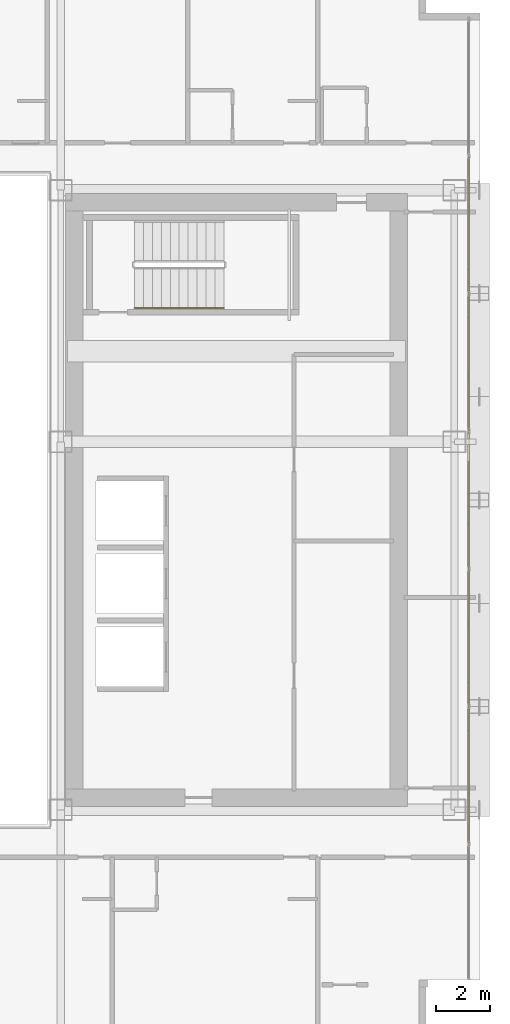
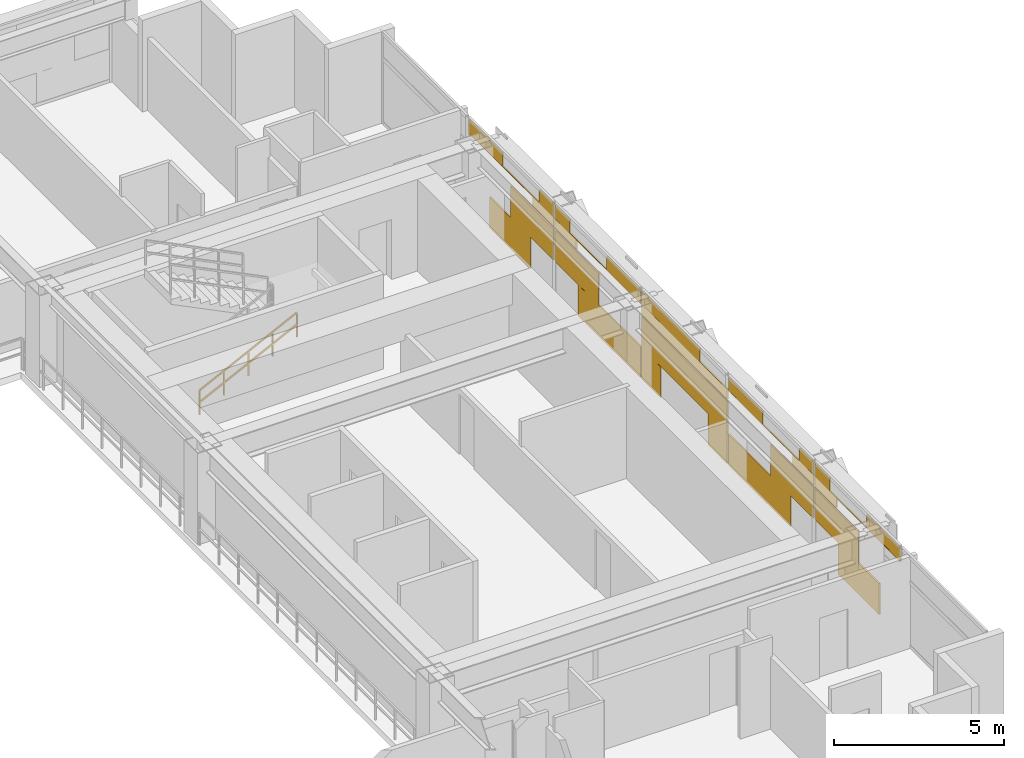
# One storey, part 35 of 36: 1 covering, 1 railing.
"""IFC4 building model written with IfcOpenShell, lengths in metres."""

from ifc_helpers import new_model, si_unit, direction, frame, origin, origin_2d, place, context, subcontext, project, spatial, rectangle, extrude, material, layer, layer_set, type_object, element, save


model = new_model("IFC4")

# Units and contexts
model_context = context("Model", 3, precision=1e-05, world=origin(), true_north=direction((0.0, 1.0)))
body_context = subcontext(model_context, "Body", "Model", "MODEL_VIEW")
ifc_project = project(units=[si_unit("LENGTHUNIT", "METRE"), si_unit("AREAUNIT", "SQUARE_METRE"), si_unit("VOLUMEUNIT", "CUBIC_METRE"), si_unit("PLANEANGLEUNIT", "RADIAN"), si_unit("MASSUNIT", "GRAM", prefix="KILO")], contexts=[model_context])

# Site, building, storey
site_placement = place(None, origin())
site = spatial("IfcSite", under=ifc_project, at=site_placement, CompositionType="ELEMENT")
building_placement = place(site_placement, origin())
building = spatial("IfcBuilding", under=site, at=building_placement, Name="Ocotamira Hotel", CompositionType="ELEMENT")
storey_placement = place(building_placement, frame((0.0, 0.0, 147.60009765625)))
storey = spatial("IfcBuildingStorey", under=building, at=storey_placement, Name="L37", CompositionType="ELEMENT", Elevation=147.60009765625)

# Covering
ifc_material_1 = material(Name="Insulated pale-metal aluminium spandrel panel", Category="aluminium")
ifc_layer = layer(ifc_material_1, 0.044921875)
ifc_layer_set = layer_set([ifc_layer], Name="Insulated pale-metal aluminium spandrel panel")
covering_type = type_object("IfcCoveringType", Name="COV-INFILL-45", PredefinedType="CLADDING", material=ifc_layer_set)
covering_placement = place(storey_placement, origin())
element("IfcCovering", 1, at=covering_placement, inside=storey, type_object=covering_type, Name="L37 Curtain Wall Infill CW-3 CW-L37-E", PredefinedType="CLADDING", context=body_context, shape_type="SweptSolid", body=[
    extrude(rectangle(XDim=2.39208984375, YDim=0.044921875, at=origin_2d()), frame((55.580078125, 15.76904296875, 0.075439453125), z_axis=(0.0, 0.0, 1.0), x_axis=(0.0, 1.0, 0.0)), (0.0, 0.0, 1.0), 1.11767578125),
    extrude(rectangle(XDim=2.544921875, YDim=0.044921875, at=origin_2d()), frame((55.580078125, 17.05859375, 1.19384765625), z_axis=(0.0, 0.0, 1.0), x_axis=(0.0, 1.0, 0.0)), (0.0, 0.0, 1.0), 1.117919921875),
    extrude(rectangle(XDim=5.004638671875, YDim=0.044921875, at=origin_2d()), frame((55.580078125, 15.82861328125, 2.722900390625), z_axis=(0.0, 0.0, 1.0), x_axis=(0.0, 1.0, 0.0)), (0.0, 0.0, 1.0), 0.029296875),
    extrude(rectangle(XDim=1.989013671875, YDim=0.044921875, at=origin_2d()), frame((55.580078125, 14.32080078125, 2.75341796875), z_axis=(0.0, 0.0, 1.0), x_axis=(0.0, 1.0, 0.0)), (0.0, 0.0, 1.0), 0.451171875),
    extrude(rectangle(XDim=1.25048828125, YDim=0.044921875, at=origin_2d()), frame((55.580078125, 17.705810546875, 2.387939453125), z_axis=(0.0, 0.0, 1.0), x_axis=(0.0, 1.0, 0.0)), (0.0, 0.0, 1.0), 0.333984375),
    extrude(rectangle(XDim=0.854248046875, YDim=0.044921875, at=origin_2d()), frame((55.580078125, 17.90380859375, 2.75341796875), z_axis=(0.0, 0.0, 1.0), x_axis=(0.0, 1.0, 0.0)), (0.0, 0.0, 1.0), 0.451171875),
    extrude(rectangle(XDim=2.53515625, YDim=0.044921875, at=origin_2d()), frame((55.580078125, 19.679443359375, 1.19384765625), z_axis=(0.0, 0.0, 1.0), x_axis=(0.0, 1.0, 0.0)), (0.0, 0.0, 1.0), 1.117919921875),
    extrude(rectangle(XDim=3.6484375, YDim=0.044921875, at=origin_2d()), frame((55.580078125, 21.59228515625, 0.075439453125), z_axis=(0.0, 0.0, 1.0), x_axis=(0.0, 1.0, 0.0)), (0.0, 0.0, 1.0), 1.11767578125),
    extrude(rectangle(XDim=1.24072265625, YDim=0.044921875, at=origin_2d()), frame((55.580078125, 19.0322265625, 2.387939453125), z_axis=(0.0, 0.0, 1.0), x_axis=(0.0, 1.0, 0.0)), (0.0, 0.0, 1.0), 0.333984375),
    extrude(rectangle(XDim=5.004638671875, YDim=0.044921875, at=origin_2d()), frame((55.580078125, 20.914306640625, 2.722900390625), z_axis=(0.0, 0.0, 1.0), x_axis=(0.0, 1.0, 0.0)), (0.0, 0.0, 1.0), 0.029296875),
    extrude(rectangle(XDim=0.844482421875, YDim=0.044921875, at=origin_2d()), frame((55.580078125, 18.834228515625, 2.75341796875), z_axis=(0.0, 0.0, 1.0), x_axis=(0.0, 1.0, 0.0)), (0.0, 0.0, 1.0), 0.451171875),
    extrude(rectangle(XDim=1.99853515625, YDim=0.044921875, at=origin_2d()), frame((55.580078125, 22.417236328125, 2.75341796875), z_axis=(0.0, 0.0, 1.0), x_axis=(0.0, 1.0, 0.0)), (0.0, 0.0, 1.0), 0.451171875),
    extrude(rectangle(XDim=1.100830078125, YDim=0.044921875, at=origin_2d()), frame((55.580078125, 24.048095703125, 0.075439453125), z_axis=(0.0, 0.0, 1.0), x_axis=(0.0, 1.0, 0.0)), (0.0, 0.0, 1.0), 1.11767578125),
    extrude(rectangle(XDim=5.004638671875, YDim=0.044921875, at=origin_2d()), frame((55.580078125, 26.0, 1.19384765625), z_axis=(0.0, 0.0, 1.0), x_axis=(0.0, 1.0, 0.0)), (0.0, 0.0, 1.0), 1.117919921875),
    extrude(rectangle(XDim=1.100830078125, YDim=0.044921875, at=origin_2d()), frame((55.580078125, 27.951904296875, 0.075439453125), z_axis=(0.0, 0.0, 1.0), x_axis=(0.0, 1.0, 0.0)), (0.0, 0.0, 1.0), 1.11767578125),
    extrude(rectangle(XDim=5.004638671875, YDim=0.044921875, at=origin_2d()), frame((55.580078125, 26.0, 2.3876953125), z_axis=(0.0, 0.0, 1.0), x_axis=(0.0, 1.0, 0.0)), (0.0, 0.0, 1.0), 0.364501953125),
    extrude(rectangle(XDim=3.392333984375, YDim=0.044921875, at=origin_2d()), frame((55.580078125, 26.80615234375, 2.75341796875), z_axis=(0.0, 0.0, 1.0), x_axis=(0.0, 1.0, 0.0)), (0.0, 0.0, 1.0), 0.451171875),
    extrude(rectangle(XDim=3.6484375, YDim=0.044921875, at=origin_2d()), frame((55.580078125, 30.40771484375, 0.075439453125), z_axis=(0.0, 0.0, 1.0), x_axis=(0.0, 1.0, 0.0)), (0.0, 0.0, 1.0), 1.11767578125),
    extrude(rectangle(XDim=2.53515625, YDim=0.044921875, at=origin_2d()), frame((55.580078125, 32.320556640625, 1.19384765625), z_axis=(0.0, 0.0, 1.0), x_axis=(0.0, 1.0, 0.0)), (0.0, 0.0, 1.0), 1.117919921875),
    extrude(rectangle(XDim=5.004638671875, YDim=0.044921875, at=origin_2d()), frame((55.580078125, 31.085693359375, 2.722900390625), z_axis=(0.0, 0.0, 1.0), x_axis=(0.0, 1.0, 0.0)), (0.0, 0.0, 1.0), 0.029296875),
    extrude(rectangle(XDim=1.99853515625, YDim=0.044921875, at=origin_2d()), frame((55.580078125, 29.582763671875, 2.75341796875), z_axis=(0.0, 0.0, 1.0), x_axis=(0.0, 1.0, 0.0)), (0.0, 0.0, 1.0), 0.451171875),
    extrude(rectangle(XDim=1.24072265625, YDim=0.044921875, at=origin_2d()), frame((55.580078125, 32.9677734375, 2.387939453125), z_axis=(0.0, 0.0, 1.0), x_axis=(0.0, 1.0, 0.0)), (0.0, 0.0, 1.0), 0.333984375),
    extrude(rectangle(XDim=0.844482421875, YDim=0.044921875, at=origin_2d()), frame((55.580078125, 33.165771484375, 2.75341796875), z_axis=(0.0, 0.0, 1.0), x_axis=(0.0, 1.0, 0.0)), (0.0, 0.0, 1.0), 0.451171875),
    extrude(rectangle(XDim=2.544921875, YDim=0.044921875, at=origin_2d()), frame((55.580078125, 34.94140625, 1.19384765625), z_axis=(0.0, 0.0, 1.0), x_axis=(0.0, 1.0, 0.0)), (0.0, 0.0, 1.0), 1.117919921875),
    extrude(rectangle(XDim=2.39208984375, YDim=0.044921875, at=origin_2d()), frame((55.580078125, 36.23095703125, 0.075439453125), z_axis=(0.0, 0.0, 1.0), x_axis=(0.0, 1.0, 0.0)), (0.0, 0.0, 1.0), 1.11767578125),
    extrude(rectangle(XDim=1.25048828125, YDim=0.044921875, at=origin_2d()), frame((55.580078125, 34.294189453125, 2.387939453125), z_axis=(0.0, 0.0, 1.0), x_axis=(0.0, 1.0, 0.0)), (0.0, 0.0, 1.0), 0.333984375),
    extrude(rectangle(XDim=5.004638671875, YDim=0.044921875, at=origin_2d()), frame((55.580078125, 36.17138671875, 2.722900390625), z_axis=(0.0, 0.0, 1.0), x_axis=(0.0, 1.0, 0.0)), (0.0, 0.0, 1.0), 0.029296875),
    extrude(rectangle(XDim=0.854248046875, YDim=0.044921875, at=origin_2d()), frame((55.580078125, 34.09619140625, 2.75341796875), z_axis=(0.0, 0.0, 1.0), x_axis=(0.0, 1.0, 0.0)), (0.0, 0.0, 1.0), 0.451171875),
    extrude(rectangle(XDim=1.989013671875, YDim=0.044921875, at=origin_2d()), frame((55.580078125, 37.67919921875, 2.75341796875), z_axis=(0.0, 0.0, 1.0), x_axis=(0.0, 1.0, 0.0)), (0.0, 0.0, 1.0), 0.451171875),
])

# Railing
ifc_material_2 = material(Name="Brushed stainless steel handrail", Category="steel")
railing_type = type_object("IfcRailingType", Name="RL-HAND-900", PredefinedType="HANDRAIL", material=ifc_material_2)
railing_placement = place(storey_placement, frame((43.22998046875, 33.10009765625, 0.3271484375)))
element("IfcRailing", 2, at=railing_placement, inside=storey, type_object=railing_type, Name="L37 ST-4 stair handrail 1", PredefinedType="HANDRAIL", context=body_context, shape_type="SweptSolid", body=[
    extrude(rectangle(XDim=0.048095703125, YDim=0.048095703125, at=origin_2d()), frame((0.0, 0.0, 0.8759765625), z_axis=(0.895893744519, 0.0, 0.4442683857), x_axis=(0.0, 1.0, 0.0)), (0.0, 0.0, 1.0), 3.68359375),
    extrude(rectangle(XDim=0.048095703125, YDim=0.048095703125, at=origin_2d()), frame((0.0, 0.0, 0.449951171875), z_axis=(0.895893744519, 0.0, 0.4442683857), x_axis=(0.0, 1.0, 0.0)), (0.0, 0.0, 1.0), 3.68359375),
    extrude(rectangle(XDim=0.0419921875, YDim=0.0419921875, at=origin_2d()), origin(), (0.0, 0.0, 1.0), 0.851806640625),
    extrude(rectangle(XDim=0.0419921875, YDim=0.0419921875, at=origin_2d()), frame((0.824951171875, 0.0, 0.4091796875)), (0.0, 0.0, 1.0), 0.851806640625),
    extrude(rectangle(XDim=0.0419921875, YDim=0.0419921875, at=origin_2d()), frame((1.64990234375, 0.0, 0.818359375)), (0.0, 0.0, 1.0), 0.851806640625),
    extrude(rectangle(XDim=0.0419921875, YDim=0.0419921875, at=origin_2d()), frame((2.47509765625, 0.0, 1.227294921875)), (0.0, 0.0, 1.0), 0.851806640625),
    extrude(rectangle(XDim=0.0419921875, YDim=0.0419921875, at=origin_2d()), frame((3.300048828125, 0.0, 1.636474609375)), (0.0, 0.0, 1.0), 0.851806640625),
])

save(model, "model.ifc")
